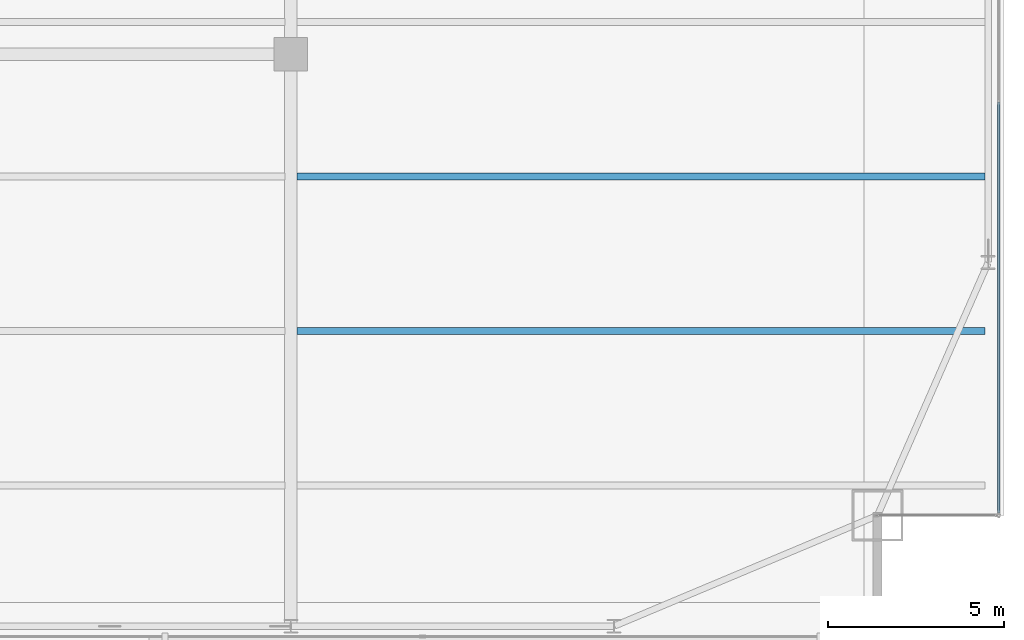
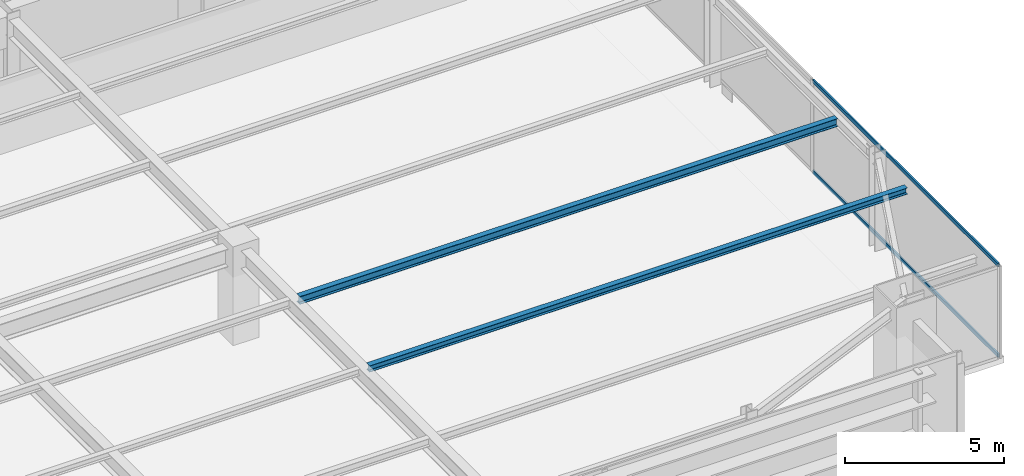
# One storey, part 17 of 32: 2 beams, 2 members, 1 element without a shape of its own.
"""IFC4 building model written with IfcOpenShell, lengths in metres."""

import ifcopenshell
import ifcopenshell.guid

model = None  # the IFC model being written
_history = None  # IfcOwnerHistory: only IFC2X3 demands one
_inside = {}  # id of a spatial element -> (the spatial element, [elements in it])
_under = {}  # id of a project, library or spatial element -> (it, [spatial elements below it])
_declared = {}  # id of a project -> (the project, [libraries it declares])
_typed = {}  # id of a type object -> (the type object, [elements of that type])
_made_of = {}  # id of a material, layer set ... -> (it, [elements and type objects made of it])


def new_model(schema):
    """Start an empty IFC model of exactly this schema.

    Asked for "IFC4X3", IfcOpenShell would pick the latest addendum, in which some entities
    have other attributes; the version numbers below select the first issue.
    IFC2X3 requires an IfcOwnerHistory on every rooted entity: one is made here for all.
    """
    global model, _history
    if schema == "IFC4X3":
        model = ifcopenshell.file(schema_version=(4, 3, 0, 0))
    else:
        model = ifcopenshell.file(schema=schema)
    _inside.clear()
    _under.clear()
    _declared.clear()
    _typed.clear()
    _made_of.clear()
    _history = None
    if model.schema == "IFC2X3":
        org = make("IfcOrganization", Name="unknown")
        user = make(
            "IfcPersonAndOrganization",
            ThePerson=make("IfcPerson", FamilyName="unknown"),
            TheOrganization=org,
        )
        app = make(
            "IfcApplication",
            ApplicationDeveloper=org,
            Version="unknown",
            ApplicationFullName="unknown",
            ApplicationIdentifier="unknown",
        )
        _history = make(
            "IfcOwnerHistory",
            OwningUser=user,
            OwningApplication=app,
            ChangeAction="ADDED",
            CreationDate=0,
        )
    return model


def make(cls, **values):
    """One entity of the class cls with the attributes given. An attribute that is None is left unset."""
    return model.create_entity(
        cls, **{name: value for name, value in values.items() if value is not None}
    )


def rooted(cls, **values):
    """An entity with a GlobalId (a new one), such as an element, a storey or a relation."""
    return make(cls, GlobalId=ifcopenshell.guid.new(), OwnerHistory=_history, **values)


def si_unit(unit_type, name, prefix=None):
    """IfcSIUnit, for example si_unit("LENGTHUNIT", "METRE", prefix="MILLI")."""
    return make("IfcSIUnit", UnitType=unit_type, Prefix=prefix, Name=name)


def assignment(units):
    """IfcUnitAssignment: the units of a project."""
    return None if units is None else make("IfcUnitAssignment", Units=units)


def point(xyz):
    """IfcCartesianPoint."""
    return None if xyz is None else make("IfcCartesianPoint", Coordinates=xyz)


def direction(xyz):
    """IfcDirection."""
    return None if xyz is None else make("IfcDirection", DirectionRatios=xyz)


def frame(location, z_axis=None, x_axis=None):
    """IfcAxis2Placement3D, a coordinate frame: its origin and axes. An axis left out is left unset."""
    return make(
        "IfcAxis2Placement3D",
        Location=point(location),
        Axis=direction(z_axis),
        RefDirection=direction(x_axis),
    )


def frame_2d(location, x_axis=None):
    """IfcAxis2Placement2D, a coordinate frame in the plane: its origin and x axis."""
    return make(
        "IfcAxis2Placement2D", Location=point(location), RefDirection=direction(x_axis)
    )


def origin():
    """The frame at (0, 0, 0) with its axes left unset."""
    return frame((0.0, 0.0, 0.0))


def origin_2d():
    """The frame at (0, 0) in the plane with its x axis left unset."""
    return frame_2d((0.0, 0.0))


def place(relative_to, where):
    """IfcLocalPlacement: puts the frame where relative to a parent placement (None: the world)."""
    return make(
        "IfcLocalPlacement", PlacementRelTo=relative_to, RelativePlacement=where
    )


def context(
    kind, dimensions, precision=None, world=None, true_north=None, identifier=None
):
    """IfcGeometricRepresentationContext, for example the 3D "Model" context."""
    return make(
        "IfcGeometricRepresentationContext",
        ContextIdentifier=identifier,
        ContextType=kind,
        CoordinateSpaceDimension=dimensions,
        Precision=precision,
        WorldCoordinateSystem=world,
        TrueNorth=true_north,
    )


def subcontext(parent, identifier, kind, view, scale=None):
    """IfcGeometricRepresentationSubContext, for example "Body" below "Model"."""
    return make(
        "IfcGeometricRepresentationSubContext",
        ContextIdentifier=identifier,
        ContextType=kind,
        ParentContext=parent,
        TargetScale=scale,
        TargetView=view,
    )


def project(units=None, contexts=None):
    """IfcProject with its units and contexts."""
    return rooted(
        "IfcProject",
        Name="project",
        RepresentationContexts=contexts,
        UnitsInContext=assignment(units),
    )


def spatial(cls, under=None, at=None, **own):
    """A site, building, storey or space (cls), placed at a placement, below another one or the project."""
    s = rooted(cls, ObjectPlacement=at, **own)
    if under is not None:
        _under.setdefault(under.id(), (under, []))[1].append(s)
    return s


def profile(cls, at=None, kind="AREA", **sizes):
    """A parametric profile (cls). Its sizes go by their IFC names, for example OverallWidth=200.0."""
    return make(cls, ProfileType=kind, Position=at, **sizes)


def hollow_rectangle(**sizes):
    """IfcRectangleHollowProfileDef."""
    return profile("IfcRectangleHollowProfileDef", **sizes)


def i_section(**sizes):
    """IfcIShapeProfileDef."""
    return profile("IfcIShapeProfileDef", **sizes)


def extrude(swept, where, along, depth):
    """IfcExtrudedAreaSolid: the profile swept, set in the frame where, extruded along a direction by depth."""
    return make(
        "IfcExtrudedAreaSolid",
        SweptArea=swept,
        Position=where,
        ExtrudedDirection=direction(along),
        Depth=depth,
    )


def shape(context_of_items, identifier, shape_type, items):
    """IfcShapeRepresentation: the items that make up one representation, for example the "Body"."""
    return make(
        "IfcShapeRepresentation",
        ContextOfItems=context_of_items,
        RepresentationIdentifier=identifier,
        RepresentationType=shape_type,
        Items=items,
    )


def source(mapping_origin, context_of_items, identifier, shape_type, items):
    """IfcRepresentationMap: a shape defined once, which mapped items show again and again."""
    return make(
        "IfcRepresentationMap",
        MappingOrigin=mapping_origin,
        MappedRepresentation=shape(context_of_items, identifier, shape_type, items),
    )


def transform(
    local_origin,
    x_axis=None,
    y_axis=None,
    z_axis=None,
    scale=None,
    scale2=None,
    scale3=None,
    uniform=True,
):
    """IfcCartesianTransformationOperator3D, or its non-uniform kind. x_axis, y_axis, z_axis: its Axis1, 2, 3."""
    if uniform:
        return make(
            "IfcCartesianTransformationOperator3D",
            Axis1=direction(x_axis),
            Axis2=direction(y_axis),
            LocalOrigin=point(local_origin),
            Scale=scale,
            Axis3=direction(z_axis),
        )
    return make(
        "IfcCartesianTransformationOperator3DnonUniform",
        Axis1=direction(x_axis),
        Axis2=direction(y_axis),
        LocalOrigin=point(local_origin),
        Scale=scale,
        Axis3=direction(z_axis),
        Scale2=scale2,
        Scale3=scale3,
    )


def mapped(mapping_source, mapping_target):
    """IfcMappedItem: shows the shape of a source again, moved by a transform."""
    return make(
        "IfcMappedItem", MappingSource=mapping_source, MappingTarget=mapping_target
    )


def material(Name=None, Category=None):
    """IfcMaterial."""
    return make("IfcMaterial", Name=Name, Category=Category)


def layer(
    of_material, thickness, ventilated=None, Name=None, Category=None, Priority=None
):
    """IfcMaterialLayer: one layer of a wall or slab, of a material (None: an air gap)."""
    return make(
        "IfcMaterialLayer",
        Material=of_material,
        LayerThickness=thickness,
        IsVentilated=ventilated,
        Name=Name,
        Category=Category,
        Priority=Priority,
    )


def layer_set(layers, Name=None):
    """IfcMaterialLayerSet."""
    return make("IfcMaterialLayerSet", MaterialLayers=layers, LayerSetName=Name)


def material_profile(
    of_material, cross_section, Name=None, Category=None, Priority=None
):
    """IfcMaterialProfile: a cross section and its material."""
    return make(
        "IfcMaterialProfile",
        Name=Name,
        Material=of_material,
        Profile=cross_section,
        Priority=Priority,
        Category=Category,
    )


def profile_set(profiles, Name=None, composite=None):
    """IfcMaterialProfileSet."""
    return make(
        "IfcMaterialProfileSet",
        Name=Name,
        MaterialProfiles=profiles,
        CompositeProfile=composite,
    )


def made_of(thing, what):
    """Note that an element or type object is made of a material, layer set ...; save() writes the relation."""
    if what is not None:
        _made_of.setdefault(what.id(), (what, []))[1].append(thing)
    return thing


def type_object(cls, material=None, **own):
    """A type object (cls), such as IfcWallType, which elements share."""
    return made_of(rooted(cls, **own), material)


def type_shapes(of_type, sources):
    """Give a type object the sources (RepresentationMaps) that its elements show as mapped items."""
    of_type.RepresentationMaps = sources


def element(
    cls,
    number,
    at=None,
    inside=None,
    cuts=None,
    type_object=None,
    material=None,
    context=None,
    identifier="Body",
    shape_type=None,
    held_by="IfcProductDefinitionShape",
    body=None,
    shapes=None,
    **own,
):
    """One element of the class cls, such as IfcWall. Its Tag is "e" and its number.

    at: its placement. inside: the storey or other place that contains it. cuts: it is an
    opening in that element (IfcRelVoidsElement). A single representation is given by context,
    identifier, shape_type and body (its items); several are given by shapes. held_by: the class
    of the entity that holds the representations. save() writes the other relations.
    """
    e = rooted(cls, Tag="e%d" % number, ObjectPlacement=at, **own)
    if body is not None:
        shapes = [shape(context, identifier, shape_type, body)]
    if shapes is not None:
        e.Representation = make(held_by, Representations=shapes)
    if inside is not None:
        _inside.setdefault(inside.id(), (inside, []))[1].append(e)
    if cuts is not None:
        rooted(
            "IfcRelVoidsElement", RelatingBuildingElement=cuts, RelatedOpeningElement=e
        )
    if type_object is not None:
        _typed.setdefault(type_object.id(), (type_object, []))[1].append(e)
    return made_of(e, material)


def aggregate(whole, parts):
    """IfcRelAggregates: a whole, such as a stair, and the parts it consists of."""
    return rooted("IfcRelAggregates", RelatingObject=whole, RelatedObjects=parts)


def save(model, path):
    """Write the relations noted so far, then the file.

    IfcRelAggregates (storeys below a building ...), IfcRelContainedInSpatialStructure (elements
    in a storey), IfcRelDefinesByType, IfcRelAssociatesMaterial and IfcRelDeclares: one each for
    every whole, place, type object, material and project.
    """
    for whole, parts in _under.values():
        aggregate(whole, parts)
    for where, things in _inside.values():
        rooted(
            "IfcRelContainedInSpatialStructure",
            RelatedElements=things,
            RelatingStructure=where,
        )
    for kind, things in _typed.values():
        rooted("IfcRelDefinesByType", RelatedObjects=things, RelatingType=kind)
    for what, things in _made_of.values():
        rooted("IfcRelAssociatesMaterial", RelatedObjects=things, RelatingMaterial=what)
    for by, libraries in _declared.values():
        rooted("IfcRelDeclares", RelatingContext=by, RelatedDefinitions=libraries)
    model.write(path)


model = new_model("IFC4")

# Units and contexts
model_context = context("Model", 3, precision=1e-05, world=origin(), true_north=direction((0.0, 1.0)))
body_context = subcontext(model_context, "Body", "Model", "MODEL_VIEW")
ifc_project = project(units=[si_unit("LENGTHUNIT", "METRE"), si_unit("AREAUNIT", "SQUARE_METRE"), si_unit("VOLUMEUNIT", "CUBIC_METRE"), si_unit("PLANEANGLEUNIT", "RADIAN"), si_unit("MASSUNIT", "GRAM", prefix="KILO")], contexts=[model_context])

# Site, building, storey
site_placement = place(None, origin())
site = spatial("IfcSite", under=ifc_project, at=site_placement, CompositionType="ELEMENT")
building_placement = place(site_placement, origin())
building = spatial("IfcBuilding", under=site, at=building_placement, Name="Varnel Quay Broadcast Tower", CompositionType="ELEMENT")
storey_placement = place(building_placement, frame((0.0, 0.0, 90.800048828125)))
storey = spatial("IfcBuildingStorey", under=building, at=storey_placement, Name="L21", CompositionType="ELEMENT", Elevation=90.800048828125)

# Beams
ifc_material_1 = material(Name="Structural Steel CSA G40.21 350W", Category="steel")
ifc_material_profile_1 = material_profile(ifc_material_1, i_section(OverallWidth=0.202880859375, OverallDepth=0.302978515625, WebThickness=0.007568359375, FlangeThickness=0.01318359375, FilletRadius=0.011962890625, at=origin_2d()), Name="W310X60")
ifc_profile_set_1 = profile_set([ifc_material_profile_1], Name="Structural Steel CSA G40.21 350W")
beam_type_1 = type_object("IfcBeamType", Name="Beam_W310X60", PredefinedType="JOIST", material=ifc_profile_set_1)
shared_shape_1 = source(origin(), body_context, "Body", "SweptSolid", [
    extrude(i_section(OverallWidth=0.202880859375, OverallDepth=0.302978515625, WebThickness=0.007568359375, FlangeThickness=0.01318359375, FilletRadius=0.011962890625, at=origin_2d()), origin(), (0.0, 0.0, 1.0), 19.592041015625),
])
type_shapes(beam_type_1, [shared_shape_1])
beam_1_placement = place(storey_placement, frame((43.37255859375, 17.449951171875, 3.3984375), z_axis=(1.0, 0.0, 0.0), x_axis=(0.0, 1.0, 0.0)))
element("IfcBeam", 1, at=beam_1_placement, inside=storey, type_object=beam_type_1, Name="L21 East Floor Joist 3", PredefinedType="JOIST", context=body_context, shape_type="MappedRepresentation", body=[
    mapped(shared_shape_1, transform((0.0, 0.0, 0.0), x_axis=(1.0, 0.0, 0.0), y_axis=(0.0, 1.0, 0.0), z_axis=(0.0, 0.0, 1.0), scale=1.0)),
])
ifc_material_profile_2 = material_profile(ifc_material_1, i_section(OverallWidth=0.201904296875, OverallDepth=0.2470703125, WebThickness=0.00732421875, FlangeThickness=0.010986328125, FilletRadius=0.010986328125, at=origin_2d()), Name="W250X49")
ifc_profile_set_2 = profile_set([ifc_material_profile_2], Name="Structural Steel CSA G40.21 350W")
beam_type_2 = type_object("IfcBeamType", Name="Beam_W250X49", PredefinedType="JOIST", material=ifc_profile_set_2)
shared_shape_2 = source(origin(), body_context, "Body", "SweptSolid", [
    extrude(i_section(OverallWidth=0.201904296875, OverallDepth=0.2470703125, WebThickness=0.00732421875, FlangeThickness=0.010986328125, FilletRadius=0.010986328125, at=origin_2d()), origin(), (0.0, 0.0, 1.0), 19.592041015625),
])
type_shapes(beam_type_2, [shared_shape_2])
beam_2_placement = place(storey_placement, frame((43.37255859375, 13.050048828125, 3.426513671875), z_axis=(1.0, 0.0, 0.0), x_axis=(0.0, 1.0, 0.0)))
element("IfcBeam", 2, at=beam_2_placement, inside=storey, type_object=beam_type_2, Name="L21 East Floor Joist 2", PredefinedType="JOIST", context=body_context, shape_type="MappedRepresentation", body=[
    mapped(shared_shape_2, transform((0.0, 0.0, 0.0), x_axis=(1.0, 0.0, 0.0), y_axis=(0.0, 1.0, 0.0), z_axis=(0.0, 0.0, 1.0), scale=1.0)),
])

# Curtain wall, members
ifc_material_2 = material(Name="Anodised Bronze Aluminium 6063-T6", Category="aluminium")
ifc_layer = layer(ifc_material_2, 0.18994140625, Name="Anodised Bronze Aluminium 6063-T6")
ifc_layer_set = layer_set([ifc_layer], Name="Anodised Bronze Aluminium 6063-T6")
curtain_wall_type = type_object("IfcCurtainWallType", Name="CW_LowerTower", PredefinedType="NOTDEFINED", material=ifc_layer_set)
curtain_wall_placement = place(storey_placement, origin())
curtain_wall = element("IfcCurtainWall", 3, at=curtain_wall_placement, inside=storey, type_object=curtain_wall_type, Name="L21 East Unitised Curtain Wall", PredefinedType="NOTDEFINED")
ifc_material_profile_3 = material_profile(ifc_material_2, hollow_rectangle(XDim=0.06005859375, YDim=0.14501953125, WallThickness=0.00341796875, at=origin_2d()), Name="ALU60X145X3.5")
ifc_profile_set_3 = profile_set([ifc_material_profile_3], Name="Anodised Bronze Aluminium 6063-T6")
member_type = type_object("IfcMemberType", Name="Tran_CWS-02", PredefinedType="USERDEFINED", material=ifc_profile_set_3)
shared_shape_3 = source(origin(), body_context, "Body", "SweptSolid", [
    extrude(hollow_rectangle(XDim=0.06005859375, YDim=0.14501953125, WallThickness=0.00341796875, at=origin_2d()), origin(), (0.0, 0.0, 1.0), 11.69482421875),
])
type_shapes(member_type, [shared_shape_3])
member_1_placement = place(storey_placement, frame((63.35009765625, 7.8701171875, 0.030029296875), z_axis=(0.0, 1.0, 0.0), x_axis=(-1.0, 0.0, 0.0)))
member_1 = element("IfcMember", 4, at=member_1_placement, type_object=member_type, Name="CWS-02 transom 1.1", ObjectType="TRANSOM", PredefinedType="USERDEFINED", context=body_context, shape_type="MappedRepresentation", body=[
    mapped(shared_shape_3, transform((0.0, 0.0, 0.0), x_axis=(1.0, 0.0, 0.0), y_axis=(0.0, 1.0, 0.0), z_axis=(0.0, 0.0, 1.0), scale=1.0)),
])
member_2_placement = place(storey_placement, frame((63.35009765625, 7.8701171875, 3.52001953125), z_axis=(0.0, 1.0, 0.0), x_axis=(-1.0, 0.0, 0.0)))
member_2 = element("IfcMember", 5, at=member_2_placement, type_object=member_type, Name="CWS-02 transom 1.2", ObjectType="TRANSOM", PredefinedType="USERDEFINED", context=body_context, shape_type="MappedRepresentation", body=[
    mapped(shared_shape_3, transform((0.0, 0.0, 0.0), x_axis=(1.0, 0.0, 0.0), y_axis=(0.0, 1.0, 0.0), z_axis=(0.0, 0.0, 1.0), scale=1.0)),
])
aggregate(curtain_wall, [member_1, member_2])

save(model, "model.ifc")
